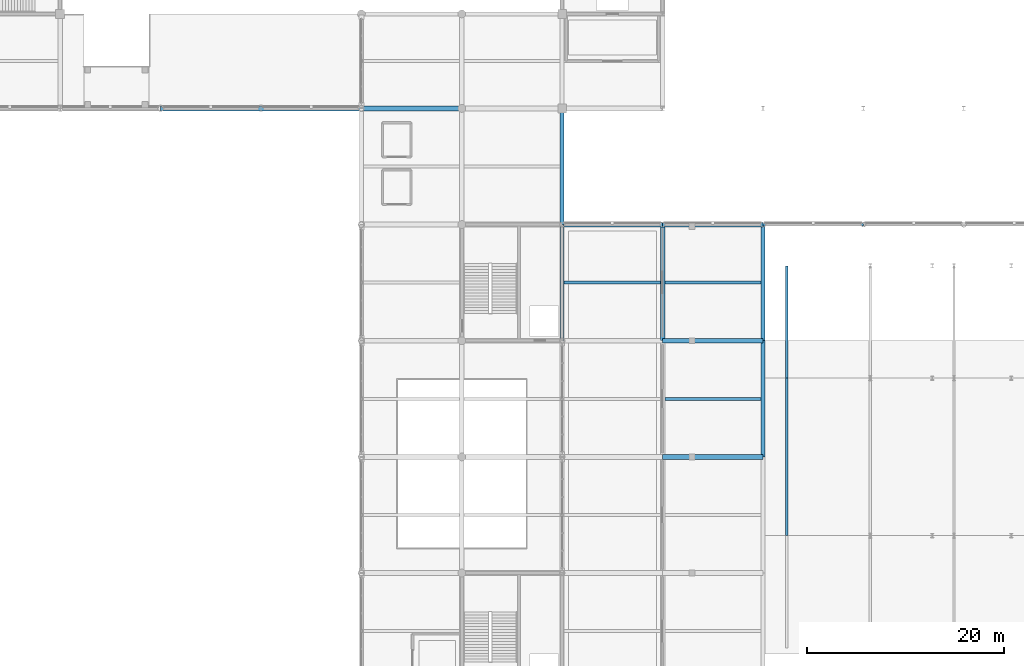
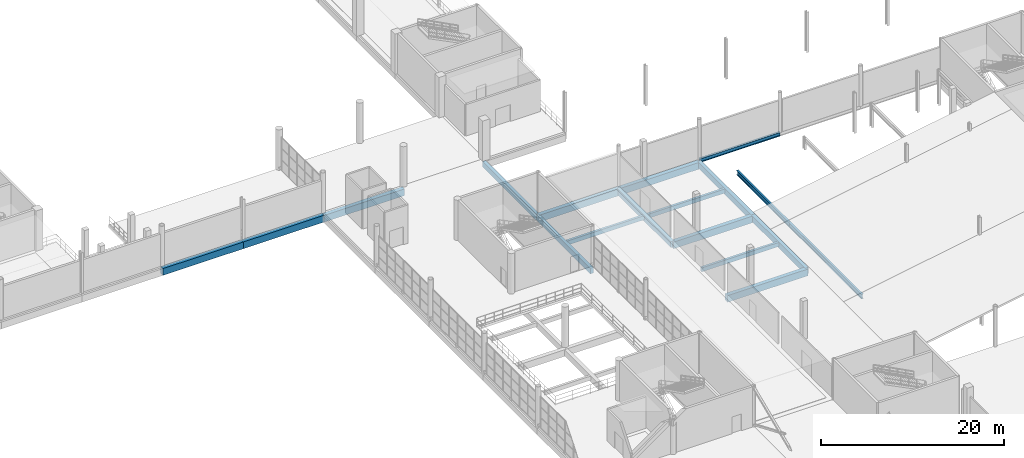
# One storey, part 75 of 175: 18 beams.
"""IFC4 building model written with IfcOpenShell, lengths in metres."""

from ifc_helpers import new_model, si_unit, direction, frame, origin, origin_2d, place, context, subcontext, project, spatial, rectangle, i_section, extrude, material, material_profile, profile_set, type_object, element, save


model = new_model("IFC4")

# Units and contexts
model_context = context("Model", 3, precision=1e-05, world=origin(), true_north=direction((0.0, 1.0)))
body_context = subcontext(model_context, "Body", "Model", "MODEL_VIEW")
ifc_project = project(units=[si_unit("LENGTHUNIT", "METRE"), si_unit("AREAUNIT", "SQUARE_METRE"), si_unit("VOLUMEUNIT", "CUBIC_METRE"), si_unit("PLANEANGLEUNIT", "RADIAN"), si_unit("MASSUNIT", "GRAM", prefix="KILO")], contexts=[model_context])

# Site, building, storey
site_placement = place(None, origin())
site = spatial("IfcSite", under=ifc_project, at=site_placement, CompositionType="ELEMENT")
building_placement = place(site_placement, origin())
building = spatial("IfcBuilding", under=site, at=building_placement, Name="Brelvane Convention Centre", CompositionType="ELEMENT")
storey_placement = place(building_placement, frame((0.0, 0.0, 5.39990234375)))
storey = spatial("IfcBuildingStorey", under=building, at=storey_placement, Name="L01", CompositionType="ELEMENT", Elevation=5.39990234375)

# Beams
ifc_material_1 = material(Name="Concrete M40", Category="concrete")
ifc_material_profile_1 = material_profile(ifc_material_1, rectangle(XDim=0.5, YDim=0.89990234375, at=origin_2d()), Name="RC 500x900")
ifc_profile_set_1 = profile_set([ifc_material_profile_1], Name="Concrete M40")
beam_type_1 = type_object("IfcBeamType", Name="RC Beam B-RC4 (RC 500x900)", PredefinedType="BEAM", material=ifc_profile_set_1)
beam_1_placement = place(storey_placement, frame((122.39990234375, 99.60009765625, -0.77001953125), z_axis=(1.0, 0.0, 0.0), x_axis=(0.0, 1.0, 0.0)))
element("IfcBeam", 1, at=beam_1_placement, inside=storey, type_object=beam_type_1, Name="L01 Beam 13-14/K", PredefinedType="BEAM", context=body_context, shape_type="SweptSolid", body=[
    extrude(rectangle(XDim=0.5, YDim=0.89990234375, at=origin_2d()), origin(), (0.0, 0.0, 1.0), 10.2001953125),
])
for number, where, z_axis, x_axis, name in (
    (2, (132.60009765625, 99.60009765625, -0.77001953125), (1.0, 0.0, 0.0), (0.0, 1.0, 0.0), "L01 Beam 14-15/K"),
    (3, (142.800048828125, 99.60009765625, -0.7998046875), (1.0, 0.0, 0.0), (0.0, 1.0, 0.0), "L01 Beam 15-16/K"),
    (4, (163.199951171875, 87.800048828125, -0.77001953125), (1.0, 0.0, 0.0), (0.0, 1.0, 0.0), "L01 Beam 17-18/J"),
):
    element("IfcBeam", number, at=place(storey_placement, frame(where, z_axis=z_axis, x_axis=x_axis)), inside=storey, type_object=beam_type_1, Name=name, PredefinedType="BEAM", context=body_context, shape_type="SweptSolid", body=[
        extrude(rectangle(XDim=0.5, YDim=0.89990234375, at=origin_2d()), origin(), (0.0, 0.0, 1.0), 10.199951171875),
    ])
for number, where, z_axis, x_axis, name in (
    (5, (173.39990234375, 64.199951171875, -0.77001953125), (1.0, 0.0, 0.0), (0.0, 1.0, 0.0), "L01 Beam 18-19/G"),
    (6, (173.39990234375, 76.0, -0.77001953125), (1.0, 0.0, 0.0), (0.0, 1.0, 0.0), "L01 Beam 18-19/H"),
    (7, (173.39990234375, 87.800048828125, -0.77001953125), (1.0, 0.0, 0.0), (0.0, 1.0, 0.0), "L01 Beam 18-19/J"),
):
    element("IfcBeam", number, at=place(storey_placement, frame(where, z_axis=z_axis, x_axis=x_axis)), inside=storey, type_object=beam_type_1, Name=name, PredefinedType="BEAM", context=body_context, shape_type="SweptSolid", body=[
        extrude(rectangle(XDim=0.5, YDim=0.89990234375, at=origin_2d()), origin(), (0.0, 0.0, 1.0), 10.2001953125),
    ])
ifc_material_2 = material(Name="Concrete M40", Category="concrete")
ifc_material_profile_2 = material_profile(ifc_material_2, rectangle(XDim=0.449951171875, YDim=0.800048828125, at=origin_2d()), Name="RC 450x800")
ifc_profile_set_2 = profile_set([ifc_material_profile_2], Name="Concrete M40")
beam_type_2 = type_object("IfcBeamType", Name="RC Beam B-RC5 (RC 450x800)", PredefinedType="BEAM", material=ifc_profile_set_2)
for number, where, z_axis, x_axis, name in (
    (8, (173.39990234375, 76.0, -0.719970703125), (0.0, 1.0, 0.0), (-1.0, 0.0, 0.0), "L01 Girder 18/H-J"),
    (9, (183.60009765625, 64.199951171875, -0.719970703125), (0.0, 1.0, 0.0), (-1.0, 0.0, 0.0), "L01 Girder 19/G-H"),
    (10, (183.60009765625, 76.0, -0.719970703125), (0.0, 1.0, 0.0), (-1.0, 0.0, 0.0), "L01 Girder 19/H-J"),
):
    element("IfcBeam", number, at=place(storey_placement, frame(where, z_axis=z_axis, x_axis=x_axis)), inside=storey, type_object=beam_type_2, Name=name, PredefinedType="BEAM", context=body_context, shape_type="SweptSolid", body=[
        extrude(rectangle(XDim=0.449951171875, YDim=0.800048828125, at=origin_2d()), origin(), (0.0, 0.0, 1.0), 11.800048828125),
    ])
ifc_material_3 = material(Name="Concrete M40", Category="concrete")
ifc_material_profile_3 = material_profile(ifc_material_3, rectangle(XDim=0.300048828125, YDim=0.550048828125, at=origin_2d()), Name="RC 300x550")
ifc_profile_set_3 = profile_set([ifc_material_profile_3], Name="Concrete M40")
beam_type_3 = type_object("IfcBeamType", Name="RC Joist J-RC1 (RC 300x550)", PredefinedType="JOIST", material=ifc_profile_set_3)
beam_2_placement = place(storey_placement, frame((163.39990234375, 81.89990234375, -0.594970703125), z_axis=(1.0, 0.0, 0.0), x_axis=(0.0, 1.0, 0.0)))
element("IfcBeam", 11, at=beam_2_placement, inside=storey, type_object=beam_type_3, Name="L01 Secondary Joist 17-18/HJ", PredefinedType="JOIST", context=body_context, shape_type="SweptSolid", body=[
    extrude(rectangle(XDim=0.300048828125, YDim=0.550048828125, at=origin_2d()), origin(), (0.0, 0.0, 1.0), 9.775146484375),
])
for number, where, z_axis, x_axis, name in (
    (12, (173.625, 70.10009765625, -0.594970703125), (1.0, 0.0, 0.0), (0.0, 1.0, 0.0), "L01 Secondary Joist 18-19/GH"),
    (13, (173.625, 81.89990234375, -0.594970703125), (1.0, 0.0, 0.0), (0.0, 1.0, 0.0), "L01 Secondary Joist 18-19/HJ"),
):
    element("IfcBeam", number, at=place(storey_placement, frame(where, z_axis=z_axis, x_axis=x_axis)), inside=storey, type_object=beam_type_3, Name=name, PredefinedType="JOIST", context=body_context, shape_type="SweptSolid", body=[
        extrude(rectangle(XDim=0.300048828125, YDim=0.550048828125, at=origin_2d()), origin(), (0.0, 0.0, 1.0), 9.75),
    ])
ifc_material_4 = material(Name="Concrete M40", Category="concrete")
ifc_material_profile_4 = material_profile(ifc_material_4, rectangle(XDim=0.39990234375, YDim=0.75, at=origin_2d()), Name="RC 400x750")
ifc_profile_set_4 = profile_set([ifc_material_profile_4], Name="Concrete M40")
beam_type_4 = type_object("IfcBeamType", Name="RC Spandrel SP-RC1 (RC 400x750)", PredefinedType="SPANDREL", material=ifc_profile_set_4)
for number, where, z_axis, x_axis, name in (
    (14, (163.199951171875, 76.0, -0.704833984375), (0.0, 1.0, 0.0), (-1.0, 0.0, 0.0), "L01 Girder 17/H-J"),
    (15, (163.199951171875, 87.800048828125, -0.704833984375), (0.0, 1.0, 0.0), (-1.0, 0.0, 0.0), "L01 Girder 17/J-K"),
):
    element("IfcBeam", number, at=place(storey_placement, frame(where, z_axis=z_axis, x_axis=x_axis)), inside=storey, type_object=beam_type_4, Name=name, PredefinedType="SPANDREL", context=body_context, shape_type="SweptSolid", body=[
        extrude(rectangle(XDim=0.39990234375, YDim=0.75, at=origin_2d()), origin(), (0.0, 0.0, 1.0), 11.800048828125),
    ])
ifc_material_5 = material(Name="Steel E350 (350 MPa)", Category="steel")
ifc_material_profile_5 = material_profile(ifc_material_5, i_section(OverallWidth=0.25, OverallDepth=0.60009765625, WebThickness=0.01171875, FlangeThickness=0.023681640625, FilletRadius=0.01806640625, at=origin_2d()), Name="ISWB 600")
ifc_profile_set_5 = profile_set([ifc_material_profile_5], Name="Steel E350 (350 MPa)")
beam_type_5 = type_object("IfcBeamType", Name="Steel Beam B-ST5 (ISWB 600)", PredefinedType="BEAM", material=ifc_profile_set_5)
beam_3_placement = place(storey_placement, frame((186.0, 56.199951171875, -0.139892578125), z_axis=(0.0, 1.0, 0.0), x_axis=(-1.0, 0.0, 0.0)))
element("IfcBeam", 16, at=beam_3_placement, inside=storey, type_object=beam_type_5, Name="Plenary Lower Tier Bearer Beam L1-2", PredefinedType="BEAM", context=body_context, shape_type="SweptSolid", body=[
    extrude(i_section(OverallWidth=0.25, OverallDepth=0.60009765625, WebThickness=0.01171875, FlangeThickness=0.023681640625, FilletRadius=0.01806640625, at=origin_2d()), origin(), (0.0, 0.0, 1.0), 16.0),
])
beam_4_placement = place(storey_placement, frame((186.0, 72.199951171875, -0.139892578125), z_axis=(0.0, 1.0, 0.0), x_axis=(-1.0, 0.0, 0.0)))
element("IfcBeam", 17, at=beam_4_placement, inside=storey, type_object=beam_type_5, Name="Plenary Lower Tier Bearer Beam L1-3", PredefinedType="BEAM", context=body_context, shape_type="SweptSolid", body=[
    extrude(i_section(OverallWidth=0.25, OverallDepth=0.60009765625, WebThickness=0.01171875, FlangeThickness=0.023681640625, FilletRadius=0.01806640625, at=origin_2d()), origin(), (0.0, 0.0, 1.0), 11.400146484375),
])
ifc_material_6 = material(Name="Steel E350 (350 MPa)", Category="steel")
ifc_material_profile_6 = material_profile(ifc_material_6, i_section(OverallWidth=0.25, OverallDepth=0.5, WebThickness=0.010009765625, FlangeThickness=0.0146484375, FilletRadius=0.01611328125, at=origin_2d()), Name="ISWB 500")
ifc_profile_set_6 = profile_set([ifc_material_profile_6], Name="Steel E350 (350 MPa)")
beam_type_6 = type_object("IfcBeamType", Name="Steel Spandrel SP-ST1 (ISWB 500)", PredefinedType="SPANDREL", material=ifc_profile_set_6)
beam_5_placement = place(storey_placement, frame((183.60009765625, 87.800048828125, -0.25), z_axis=(1.0, 0.0, 0.0), x_axis=(0.0, 1.0, 0.0)))
element("IfcBeam", 18, at=beam_5_placement, inside=storey, type_object=beam_type_6, Name="Plenary North Wall Girt L01-3", PredefinedType="SPANDREL", context=body_context, shape_type="SweptSolid", body=[
    extrude(i_section(OverallWidth=0.25, OverallDepth=0.5, WebThickness=0.010009765625, FlangeThickness=0.0146484375, FilletRadius=0.01611328125, at=origin_2d()), origin(), (0.0, 0.0, 1.0), 10.199951171875),
])

save(model, "model.ifc")
